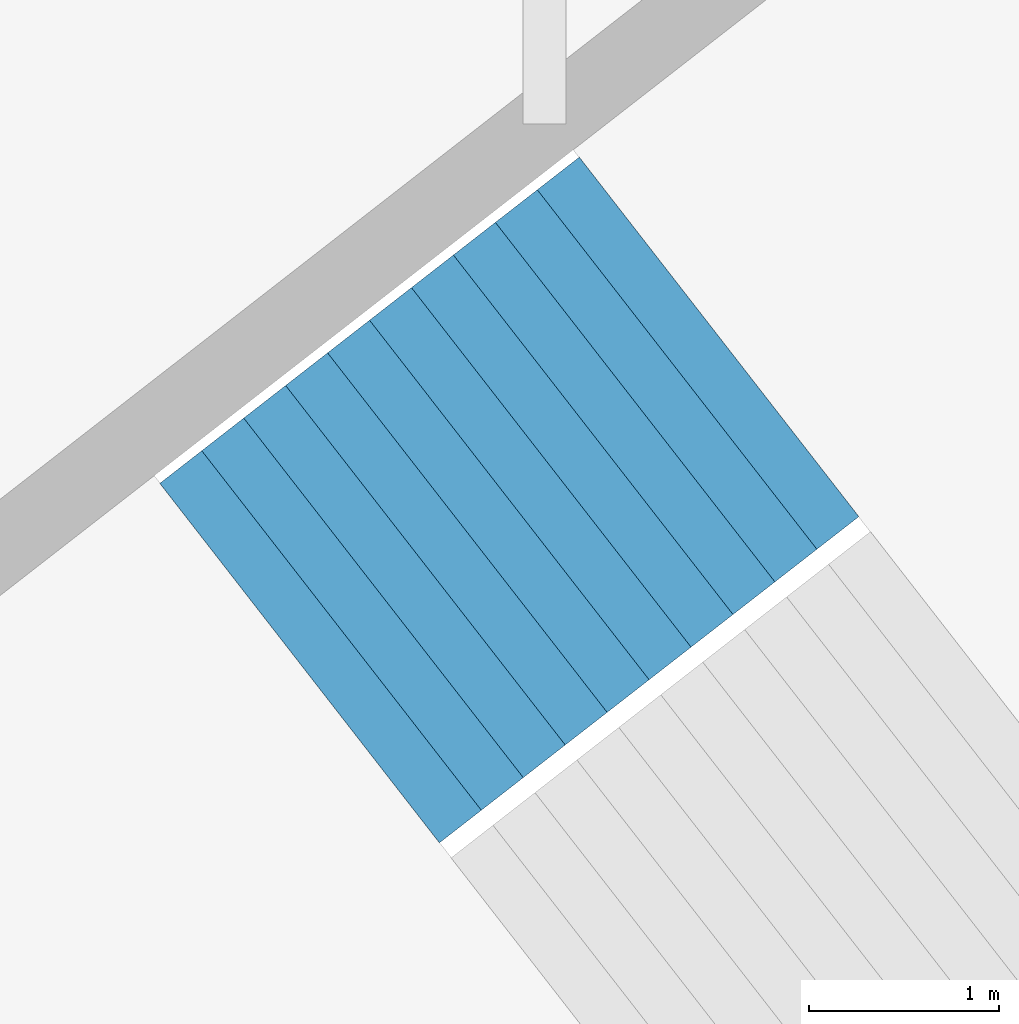
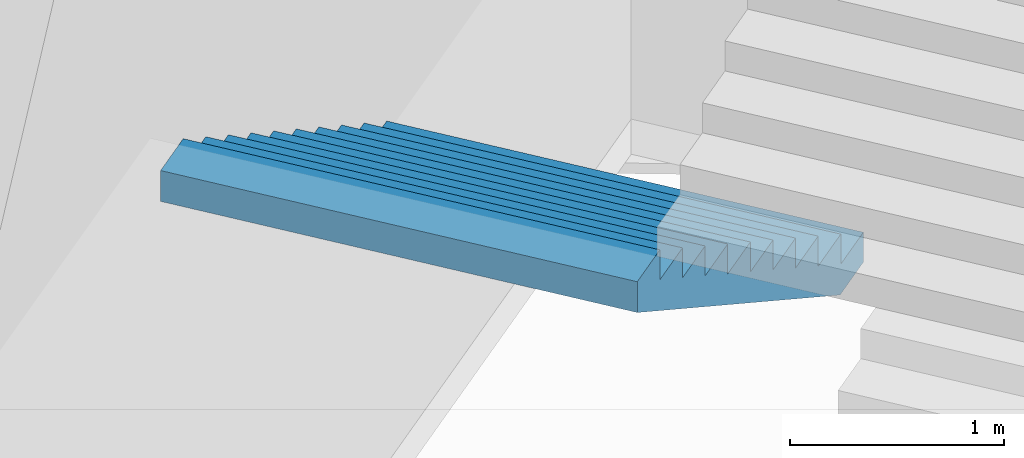
# One storey, part 63 of 73: 1 stair flight, 1 element without a shape of its own.
"""IFC4 building model written with IfcOpenShell, lengths in metres."""

from ifc_helpers import new_model, si_unit, direction, frame, origin, place, context, subcontext, project, spatial, triangles, material, type_object, element, aggregate, save


model = new_model("IFC4")

# Units and contexts
model_context = context("Model", 3, precision=1e-05, world=origin(), true_north=direction((0.0, 1.0)))
body_context = subcontext(model_context, "Body", "Model", "MODEL_VIEW")
ifc_project = project(units=[si_unit("LENGTHUNIT", "METRE"), si_unit("AREAUNIT", "SQUARE_METRE"), si_unit("VOLUMEUNIT", "CUBIC_METRE"), si_unit("PLANEANGLEUNIT", "RADIAN"), si_unit("MASSUNIT", "GRAM", prefix="KILO")], contexts=[model_context])

# Site, building, storey
site_placement = place(None, origin())
site = spatial("IfcSite", under=ifc_project, at=site_placement, CompositionType="ELEMENT")
building_placement = place(site_placement, origin())
building = spatial("IfcBuilding", under=site, at=building_placement, Name="Lantaw Convention Tower", CompositionType="ELEMENT")
storey_placement = place(building_placement, frame((0.0, 0.0, 14.5)))
storey = spatial("IfcBuildingStorey", under=building, at=storey_placement, Name="L02", CompositionType="ELEMENT", Elevation=14.5)

# Stair, stair flight
ifc_material = material(Name="Concrete C35/45", Category="concrete")
stair_type = type_object("IfcStairType", Name="Exit stair 2400 riser 170.45 in 4 flights", PredefinedType="HALF_TURN_STAIR", material=ifc_material)
stair_placement = place(storey_placement, origin())
stair = element("IfcStair", 1, at=stair_placement, inside=storey, type_object=stair_type, Name="Podium exit stair P3 L02", PredefinedType="HALF_TURN_STAIR")
stair_flight_type = type_object("IfcStairFlightType", Name="Stair flight 2400 riser 170.45", PredefinedType="STRAIGHT", material=ifc_material)
stair_flight_placement = place(storey_placement, frame((30.169921875, 25.046875, 1.875), z_axis=(0.0, 0.0, 1.0), x_axis=(-0.789378829664, -0.613906396186, 0.0)))
stair_flight = element("IfcStairFlight", 2, at=stair_flight_placement, type_object=stair_flight_type, Name="P3 flight 2", NumberOfRisers=11, NumberOfTreads=10, PredefinedType="STRAIGHT", RiserHeight=0.170454545, TreadLength=0.28, context=body_context, shape_type="Tessellation", body=[
    triangles([(0.0, 1.199951171875, 0.0), (0.0, 1.199951171875, 0.170454545), (0.28, 1.199951171875, 0.0), (0.28, 1.199951171875, 0.170454545), (0.28, 1.199951171875, 0.34090909), (0.28827876332691904, 1.199951171875, 0.0), (0.28827876332691904, 1.199951171875, 0.34090909), (0.56, 1.199951171875, 0.16541471344266906), (0.56, 1.199951171875, 0.34090909), (0.56, 1.199951171875, 0.511363635), (0.8400000000000001, 1.199951171875, 0.335869258442669), (0.8400000000000001, 1.199951171875, 0.511363635), (0.8400000000000001, 1.199951171875, 0.68181818), (1.12, 1.199951171875, 0.506323803442669), (1.12, 1.199951171875, 0.68181818), (1.12, 1.199951171875, 0.8522727250000001), (1.4000000000000001, 1.199951171875, 0.676778348442669), (1.4000000000000001, 1.199951171875, 0.8522727250000001), (1.4000000000000001, 1.199951171875, 1.02272727), (1.6800000000000002, 1.199951171875, 0.847232893442669), (1.6800000000000002, 1.199951171875, 1.02272727), (1.6800000000000002, 1.199951171875, 1.193181815), (1.9600000000000002, 1.199951171875, 1.017687438442669), (1.9600000000000002, 1.199951171875, 1.193181815), (1.9600000000000002, 1.199951171875, 1.36363636), (2.24, 1.199951171875, 1.188141983442669), (2.24, 1.199951171875, 1.36363636), (2.24, 1.199951171875, 1.5340909050000002), (2.5200000000000005, 1.199951171875, 1.358596528442669), (2.5200000000000005, 1.199951171875, 1.5340909050000002), (2.5200000000000005, 1.199951171875, 1.7045454500000001), (2.8000000000000003, 1.199951171875, 1.529051073442669), (2.8000000000000003, 1.199951171875, 1.7045454500000001), (0.0, -1.199951171875, 0.0), (0.0, -1.199951171875, 0.170454545), (0.28, -1.199951171875, 0.0), (0.28, -1.199951171875, 0.170454545), (0.28, -1.199951171875, 0.34090909), (0.28827876332691904, -1.199951171875, 0.0), (0.28827876332691904, -1.199951171875, 0.34090909), (0.56, -1.199951171875, 0.16541471344266906), (0.56, -1.199951171875, 0.34090909), (0.56, -1.199951171875, 0.511363635), (0.8400000000000001, -1.199951171875, 0.335869258442669), (0.8400000000000001, -1.199951171875, 0.511363635), (0.8400000000000001, -1.199951171875, 0.68181818), (1.12, -1.199951171875, 0.506323803442669), (1.12, -1.199951171875, 0.68181818), (1.12, -1.199951171875, 0.8522727250000001), (1.4000000000000001, -1.199951171875, 0.676778348442669), (1.4000000000000001, -1.199951171875, 0.8522727250000001), (1.4000000000000001, -1.199951171875, 1.02272727), (1.6800000000000002, -1.199951171875, 0.847232893442669), (1.6800000000000002, -1.199951171875, 1.02272727), (1.6800000000000002, -1.199951171875, 1.193181815), (1.9600000000000002, -1.199951171875, 1.017687438442669), (1.9600000000000002, -1.199951171875, 1.193181815), (1.9600000000000002, -1.199951171875, 1.36363636), (2.24, -1.199951171875, 1.188141983442669), (2.24, -1.199951171875, 1.36363636), (2.24, -1.199951171875, 1.5340909050000002), (2.5200000000000005, -1.199951171875, 1.358596528442669), (2.5200000000000005, -1.199951171875, 1.5340909050000002), (2.5200000000000005, -1.199951171875, 1.7045454500000001), (2.8000000000000003, -1.199951171875, 1.529051073442669), (2.8000000000000003, -1.199951171875, 1.7045454500000001), (0.0, 0.239990234375, 0.170454545), (0.0, 0.239990234375, 0.0), (0.0, 0.1199951171875, 0.170454545), (0.0, 0.1199951171875, 0.0), (0.0, 0.0, 0.170454545), (0.0, 0.0, 0.0), (0.0, -0.1199951171875, 0.170454545), (0.0, -0.1199951171875, 0.0), (0.0, -0.239990234375, 0.170454545), (0.0, -0.239990234375, 0.0), (0.28, 0.239990234375, 0.34090909), (0.28, 0.239990234375, 0.170454545), (0.28, 0.1199951171875, 0.34090909), (0.28, 0.1199951171875, 0.170454545), (0.28, 0.0, 0.34090909), (0.28, 0.0, 0.170454545), (0.28, -0.1199951171875, 0.34090909), (0.28, -0.1199951171875, 0.170454545), (0.28, -0.239990234375, 0.34090909), (0.28, -0.239990234375, 0.170454545), (0.56, 0.239990234375, 0.511363635), (0.56, 0.239990234375, 0.34090909), (0.56, 0.1199951171875, 0.511363635), (0.56, 0.1199951171875, 0.34090909), (0.56, 0.0, 0.511363635), (0.56, 0.0, 0.34090909), (0.56, -0.1199951171875, 0.511363635), (0.56, -0.1199951171875, 0.34090909), (0.56, -0.239990234375, 0.511363635), (0.56, -0.239990234375, 0.34090909), (0.8400000000000001, 0.239990234375, 0.68181818), (0.8400000000000001, 0.239990234375, 0.511363635), (0.8400000000000001, 0.1199951171875, 0.68181818), (0.8400000000000001, 0.1199951171875, 0.511363635), (0.8400000000000001, 0.0, 0.68181818), (0.8400000000000001, 0.0, 0.511363635), (0.8400000000000001, -0.1199951171875, 0.68181818), (0.8400000000000001, -0.1199951171875, 0.511363635), (0.8400000000000001, -0.239990234375, 0.68181818), (0.8400000000000001, -0.239990234375, 0.511363635), (1.12, 0.239990234375, 0.8522727250000001), (1.12, 0.239990234375, 0.68181818), (1.12, 0.1199951171875, 0.8522727250000001), (1.12, 0.1199951171875, 0.68181818), (1.12, 0.0, 0.8522727250000001), (1.12, 0.0, 0.68181818), (1.12, -0.1199951171875, 0.8522727250000001), (1.12, -0.1199951171875, 0.68181818), (1.12, -0.239990234375, 0.8522727250000001), (1.12, -0.239990234375, 0.68181818), (1.4000000000000001, 0.239990234375, 1.02272727), (1.4000000000000001, 0.239990234375, 0.8522727250000001), (1.4000000000000001, 0.1199951171875, 1.02272727), (1.4000000000000001, 0.1199951171875, 0.8522727250000001), (1.4000000000000001, 0.0, 1.02272727), (1.4000000000000001, 0.0, 0.8522727250000001), (1.4000000000000001, -0.1199951171875, 1.02272727), (1.4000000000000001, -0.1199951171875, 0.8522727250000001), (1.4000000000000001, -0.239990234375, 1.02272727), (1.4000000000000001, -0.239990234375, 0.8522727250000001), (1.6800000000000002, 0.239990234375, 1.193181815), (1.6800000000000002, 0.239990234375, 1.02272727), (1.6800000000000002, 0.1199951171875, 1.193181815), (1.6800000000000002, 0.1199951171875, 1.02272727), (1.6800000000000002, 0.0, 1.193181815), (1.6800000000000002, 0.0, 1.02272727), (1.6800000000000002, -0.1199951171875, 1.193181815), (1.6800000000000002, -0.1199951171875, 1.02272727), (1.6800000000000002, -0.239990234375, 1.193181815), (1.6800000000000002, -0.239990234375, 1.02272727), (1.9600000000000002, 0.239990234375, 1.36363636), (1.9600000000000002, 0.239990234375, 1.193181815), (1.9600000000000002, 0.1199951171875, 1.36363636), (1.9600000000000002, 0.1199951171875, 1.193181815), (1.9600000000000002, 0.0, 1.36363636), (1.9600000000000002, 0.0, 1.193181815), (1.9600000000000002, -0.1199951171875, 1.36363636), (1.9600000000000002, -0.1199951171875, 1.193181815), (1.9600000000000002, -0.239990234375, 1.36363636), (1.9600000000000002, -0.239990234375, 1.193181815), (2.24, 0.239990234375, 1.5340909050000002), (2.24, 0.239990234375, 1.36363636), (2.24, 0.1199951171875, 1.5340909050000002), (2.24, 0.1199951171875, 1.36363636), (2.24, 0.0, 1.5340909050000002), (2.24, 0.0, 1.36363636), (2.24, -0.1199951171875, 1.5340909050000002), (2.24, -0.1199951171875, 1.36363636), (2.24, -0.239990234375, 1.5340909050000002), (2.24, -0.239990234375, 1.36363636), (2.5200000000000005, 0.239990234375, 1.7045454500000001), (2.5200000000000005, 0.239990234375, 1.5340909050000002), (2.5200000000000005, 0.1199951171875, 1.7045454500000001), (2.5200000000000005, 0.1199951171875, 1.5340909050000002), (2.5200000000000005, 0.0, 1.7045454500000001), (2.5200000000000005, 0.0, 1.5340909050000002), (2.5200000000000005, -0.1199951171875, 1.7045454500000001), (2.5200000000000005, -0.1199951171875, 1.5340909050000002), (2.5200000000000005, -0.239990234375, 1.7045454500000001), (2.5200000000000005, -0.239990234375, 1.5340909050000002), (0.28827876332691904, 0.239990234375, 0.34090909), (0.28827876332691904, 0.1199951171875, 0.34090909), (0.28827876332691904, 0.0, 0.34090909), (0.28827876332691904, -0.1199951171875, 0.34090909), (0.28827876332691904, -0.239990234375, 0.34090909), (2.8000000000000003, 0.239990234375, 1.7045454500000001), (2.8000000000000003, 0.1199951171875, 1.7045454500000001), (2.8000000000000003, 0.0, 1.7045454500000001), (2.8000000000000003, -0.1199951171875, 1.7045454500000001), (2.8000000000000003, -0.239990234375, 1.7045454500000001), (2.8000000000000003, 0.239990234375, 1.5290510734426692), (2.8000000000000003, 0.1199951171875, 1.5290510734426692), (2.8000000000000003, 0.0, 1.5290510734426692), (2.8000000000000003, -0.1199951171875, 1.5290510734426692), (2.8000000000000003, -0.239990234375, 1.5290510734426692), (2.5200000000000005, 0.239990234375, 1.358596528442669), (2.5200000000000005, 0.1199951171875, 1.358596528442669), (2.5200000000000005, 0.0, 1.358596528442669), (2.5200000000000005, -0.1199951171875, 1.358596528442669), (2.5200000000000005, -0.239990234375, 1.358596528442669), (2.24, 0.239990234375, 1.188141983442669), (2.24, 0.1199951171875, 1.188141983442669), (2.24, 0.0, 1.188141983442669), (2.24, -0.1199951171875, 1.188141983442669), (2.24, -0.239990234375, 1.188141983442669), (1.9600000000000002, 0.239990234375, 1.017687438442669), (1.9600000000000002, 0.1199951171875, 1.017687438442669), (1.9600000000000002, 0.0, 1.017687438442669), (1.9600000000000002, -0.1199951171875, 1.017687438442669), (1.9600000000000002, -0.239990234375, 1.017687438442669), (1.6800000000000002, 0.239990234375, 0.847232893442669), (1.6800000000000002, 0.1199951171875, 0.847232893442669), (1.6800000000000002, 0.0, 0.847232893442669), (1.6800000000000002, -0.1199951171875, 0.847232893442669), (1.6800000000000002, -0.239990234375, 0.847232893442669), (1.4000000000000001, 0.239990234375, 0.676778348442669), (1.4000000000000001, 0.1199951171875, 0.676778348442669), (1.4000000000000001, 0.0, 0.676778348442669), (1.4000000000000001, -0.1199951171875, 0.676778348442669), (1.4000000000000001, -0.239990234375, 0.676778348442669), (1.12, 0.239990234375, 0.506323803442669), (1.12, 0.1199951171875, 0.506323803442669), (1.12, 0.0, 0.506323803442669), (1.12, -0.1199951171875, 0.506323803442669), (1.12, -0.239990234375, 0.506323803442669), (0.8400000000000001, 0.239990234375, 0.335869258442669), (0.8400000000000001, 0.1199951171875, 0.335869258442669), (0.8400000000000001, 0.0, 0.335869258442669), (0.8400000000000001, -0.1199951171875, 0.335869258442669), (0.8400000000000001, -0.239990234375, 0.335869258442669), (0.56, 0.239990234375, 0.16541471344266906), (0.56, 0.1199951171875, 0.16541471344266906), (0.56, 0.0, 0.16541471344266906), (0.56, -0.1199951171875, 0.16541471344266906), (0.56, -0.239990234375, 0.16541471344266906), (0.28827876332691904, 0.239990234375, 0.0), (0.28827876332691904, 0.1199951171875, 0.0), (0.28827876332691904, 0.0, 0.0), (0.28827876332691904, -0.1199951171875, 0.0), (0.28827876332691904, -0.239990234375, 0.0), (0.28, 0.239990234375, 0.0), (0.28, 0.1199951171875, 0.0), (0.28, 0.0, 0.0), (0.28, -0.1199951171875, 0.0), (0.28, -0.239990234375, 0.0)], [[1, 4, 3], [1, 2, 4], [3, 4, 6], [4, 7, 6], [4, 5, 7], [6, 9, 8], [6, 7, 9], [8, 9, 11], [9, 12, 11], [9, 10, 12], [11, 12, 14], [12, 15, 14], [12, 13, 15], [14, 15, 17], [15, 18, 17], [15, 16, 18], [17, 18, 20], [18, 21, 20], [18, 19, 21], [20, 21, 23], [21, 24, 23], [21, 22, 24], [23, 24, 26], [24, 27, 26], [24, 25, 27], [26, 27, 29], [27, 30, 29], [27, 28, 30], [29, 30, 32], [30, 33, 32], [30, 31, 33], [34, 36, 37], [34, 37, 35], [36, 39, 37], [37, 39, 40], [37, 40, 38], [39, 41, 42], [39, 42, 40], [41, 44, 42], [42, 44, 45], [42, 45, 43], [44, 47, 45], [45, 47, 48], [45, 48, 46], [47, 50, 48], [48, 50, 51], [48, 51, 49], [50, 53, 51], [51, 53, 54], [51, 54, 52], [53, 56, 54], [54, 56, 57], [54, 57, 55], [56, 59, 57], [57, 59, 60], [57, 60, 58], [59, 62, 60], [60, 62, 63], [60, 63, 61], [62, 65, 63], [63, 65, 66], [63, 66, 64], [1, 67, 2], [1, 68, 67], [68, 69, 67], [68, 70, 69], [70, 71, 69], [70, 72, 71], [72, 73, 71], [72, 74, 73], [74, 75, 73], [74, 76, 75], [76, 35, 75], [76, 34, 35], [4, 77, 5], [4, 78, 77], [78, 79, 77], [78, 80, 79], [80, 81, 79], [80, 82, 81], [82, 83, 81], [82, 84, 83], [84, 85, 83], [84, 86, 85], [86, 38, 85], [86, 37, 38], [9, 87, 10], [9, 88, 87], [88, 89, 87], [88, 90, 89], [90, 91, 89], [90, 92, 91], [92, 93, 91], [92, 94, 93], [94, 95, 93], [94, 96, 95], [96, 43, 95], [96, 42, 43], [12, 97, 13], [12, 98, 97], [98, 99, 97], [98, 100, 99], [100, 101, 99], [100, 102, 101], [102, 103, 101], [102, 104, 103], [104, 105, 103], [104, 106, 105], [106, 46, 105], [106, 45, 46], [15, 107, 16], [15, 108, 107], [108, 109, 107], [108, 110, 109], [110, 111, 109], [110, 112, 111], [112, 113, 111], [112, 114, 113], [114, 115, 113], [114, 116, 115], [116, 49, 115], [116, 48, 49], [18, 117, 19], [18, 118, 117], [118, 119, 117], [118, 120, 119], [120, 121, 119], [120, 122, 121], [122, 123, 121], [122, 124, 123], [124, 125, 123], [124, 126, 125], [126, 52, 125], [126, 51, 52], [21, 127, 22], [21, 128, 127], [128, 129, 127], [128, 130, 129], [130, 131, 129], [130, 132, 131], [132, 133, 131], [132, 134, 133], [134, 135, 133], [134, 136, 135], [136, 55, 135], [136, 54, 55], [24, 137, 25], [24, 138, 137], [138, 139, 137], [138, 140, 139], [140, 141, 139], [140, 142, 141], [142, 143, 141], [142, 144, 143], [144, 145, 143], [144, 146, 145], [146, 58, 145], [146, 57, 58], [27, 147, 28], [27, 148, 147], [148, 149, 147], [148, 150, 149], [150, 151, 149], [150, 152, 151], [152, 153, 151], [152, 154, 153], [154, 155, 153], [154, 156, 155], [156, 61, 155], [156, 60, 61], [30, 157, 31], [30, 158, 157], [158, 159, 157], [158, 160, 159], [160, 161, 159], [160, 162, 161], [162, 163, 161], [162, 164, 163], [164, 165, 163], [164, 166, 165], [166, 64, 165], [166, 63, 64], [2, 78, 4], [2, 67, 78], [67, 80, 78], [67, 69, 80], [69, 82, 80], [69, 71, 82], [71, 84, 82], [71, 73, 84], [73, 86, 84], [73, 75, 86], [75, 37, 86], [75, 35, 37], [5, 167, 7], [5, 77, 167], [77, 168, 167], [77, 79, 168], [79, 169, 168], [79, 81, 169], [81, 170, 169], [81, 83, 170], [83, 171, 170], [83, 85, 171], [85, 40, 171], [85, 38, 40], [7, 88, 9], [7, 167, 88], [167, 90, 88], [167, 168, 90], [168, 92, 90], [168, 169, 92], [169, 94, 92], [169, 170, 94], [170, 96, 94], [170, 171, 96], [171, 42, 96], [171, 40, 42], [10, 98, 12], [10, 87, 98], [87, 100, 98], [87, 89, 100], [89, 102, 100], [89, 91, 102], [91, 104, 102], [91, 93, 104], [93, 106, 104], [93, 95, 106], [95, 45, 106], [95, 43, 45], [13, 108, 15], [13, 97, 108], [97, 110, 108], [97, 99, 110], [99, 112, 110], [99, 101, 112], [101, 114, 112], [101, 103, 114], [103, 116, 114], [103, 105, 116], [105, 48, 116], [105, 46, 48], [16, 118, 18], [16, 107, 118], [107, 120, 118], [107, 109, 120], [109, 122, 120], [109, 111, 122], [111, 124, 122], [111, 113, 124], [113, 126, 124], [113, 115, 126], [115, 51, 126], [115, 49, 51], [19, 128, 21], [19, 117, 128], [117, 130, 128], [117, 119, 130], [119, 132, 130], [119, 121, 132], [121, 134, 132], [121, 123, 134], [123, 136, 134], [123, 125, 136], [125, 54, 136], [125, 52, 54], [22, 138, 24], [22, 127, 138], [127, 140, 138], [127, 129, 140], [129, 142, 140], [129, 131, 142], [131, 144, 142], [131, 133, 144], [133, 146, 144], [133, 135, 146], [135, 57, 146], [135, 55, 57], [25, 148, 27], [25, 137, 148], [137, 150, 148], [137, 139, 150], [139, 152, 150], [139, 141, 152], [141, 154, 152], [141, 143, 154], [143, 156, 154], [143, 145, 156], [145, 60, 156], [145, 58, 60], [28, 158, 30], [28, 147, 158], [147, 160, 158], [147, 149, 160], [149, 162, 160], [149, 151, 162], [151, 164, 162], [151, 153, 164], [153, 166, 164], [153, 155, 166], [155, 63, 166], [155, 61, 63], [31, 172, 33], [31, 157, 172], [157, 173, 172], [157, 159, 173], [159, 174, 173], [159, 161, 174], [161, 175, 174], [161, 163, 175], [163, 176, 175], [163, 165, 176], [165, 66, 176], [165, 64, 66], [33, 177, 32], [33, 172, 177], [172, 178, 177], [172, 173, 178], [173, 179, 178], [173, 174, 179], [174, 180, 179], [174, 175, 180], [175, 181, 180], [175, 176, 181], [176, 65, 181], [176, 66, 65], [32, 182, 29], [32, 177, 182], [177, 183, 182], [177, 178, 183], [178, 184, 183], [178, 179, 184], [179, 185, 184], [179, 180, 185], [180, 186, 185], [180, 181, 186], [181, 62, 186], [181, 65, 62], [29, 187, 26], [29, 182, 187], [182, 188, 187], [182, 183, 188], [183, 189, 188], [183, 184, 189], [184, 190, 189], [184, 185, 190], [185, 191, 190], [185, 186, 191], [186, 59, 191], [186, 62, 59], [26, 192, 23], [26, 187, 192], [187, 193, 192], [187, 188, 193], [188, 194, 193], [188, 189, 194], [189, 195, 194], [189, 190, 195], [190, 196, 195], [190, 191, 196], [191, 56, 196], [191, 59, 56], [23, 197, 20], [23, 192, 197], [192, 198, 197], [192, 193, 198], [193, 199, 198], [193, 194, 199], [194, 200, 199], [194, 195, 200], [195, 201, 200], [195, 196, 201], [196, 53, 201], [196, 56, 53], [20, 202, 17], [20, 197, 202], [197, 203, 202], [197, 198, 203], [198, 204, 203], [198, 199, 204], [199, 205, 204], [199, 200, 205], [200, 206, 205], [200, 201, 206], [201, 50, 206], [201, 53, 50], [17, 207, 14], [17, 202, 207], [202, 208, 207], [202, 203, 208], [203, 209, 208], [203, 204, 209], [204, 210, 209], [204, 205, 210], [205, 211, 210], [205, 206, 211], [206, 47, 211], [206, 50, 47], [14, 212, 11], [14, 207, 212], [207, 213, 212], [207, 208, 213], [208, 214, 213], [208, 209, 214], [209, 215, 214], [209, 210, 215], [210, 216, 215], [210, 211, 216], [211, 44, 216], [211, 47, 44], [11, 217, 8], [11, 212, 217], [212, 218, 217], [212, 213, 218], [213, 219, 218], [213, 214, 219], [214, 220, 219], [214, 215, 220], [215, 221, 220], [215, 216, 221], [216, 41, 221], [216, 44, 41], [8, 222, 6], [8, 217, 222], [217, 223, 222], [217, 218, 223], [218, 224, 223], [218, 219, 224], [219, 225, 224], [219, 220, 225], [220, 226, 225], [220, 221, 226], [221, 39, 226], [221, 41, 39], [6, 227, 3], [6, 222, 227], [222, 228, 227], [222, 223, 228], [223, 229, 228], [223, 224, 229], [224, 230, 229], [224, 225, 230], [225, 231, 230], [225, 226, 231], [226, 36, 231], [226, 39, 36], [3, 68, 1], [3, 227, 68], [227, 70, 68], [227, 228, 70], [228, 72, 70], [228, 229, 72], [229, 74, 72], [229, 230, 74], [230, 76, 74], [230, 231, 76], [231, 34, 76], [231, 36, 34]], closed=True),
])
aggregate(stair, [stair_flight])

save(model, "model.ifc")
